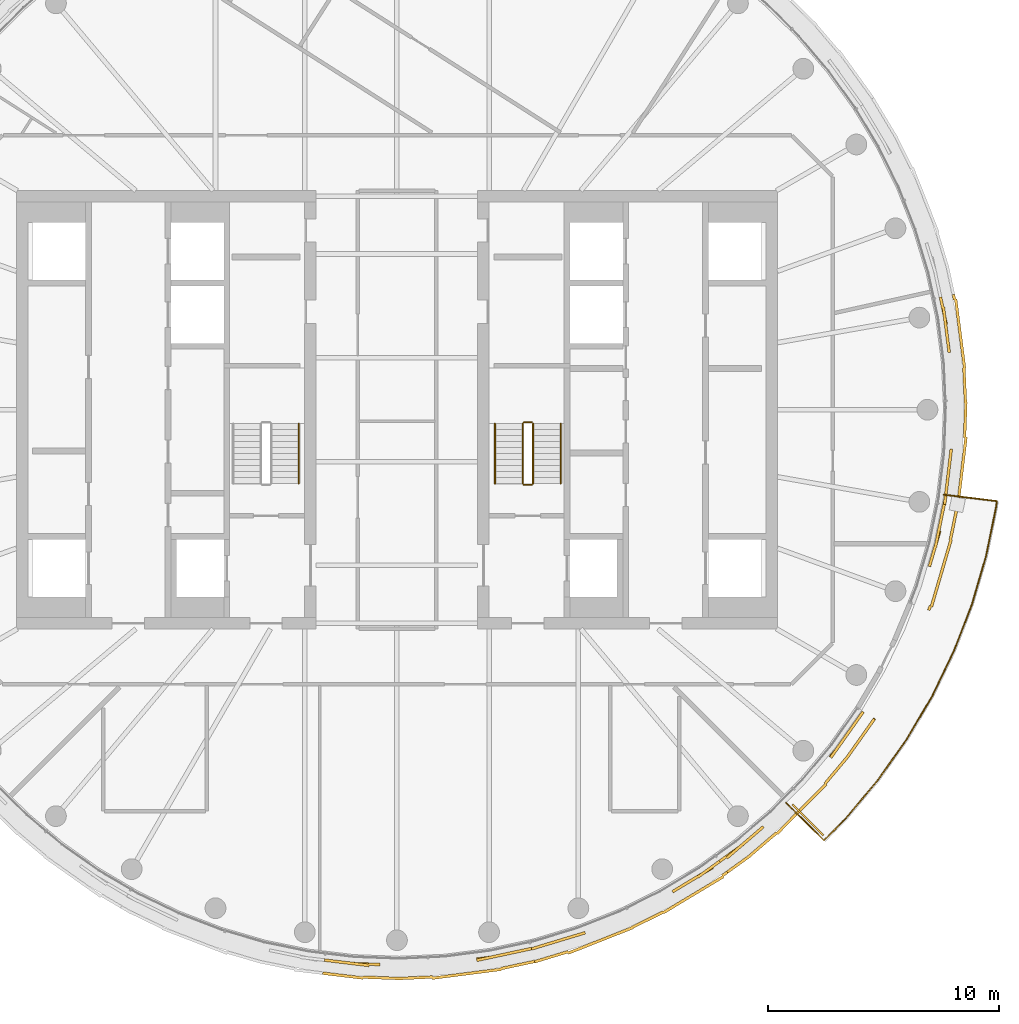
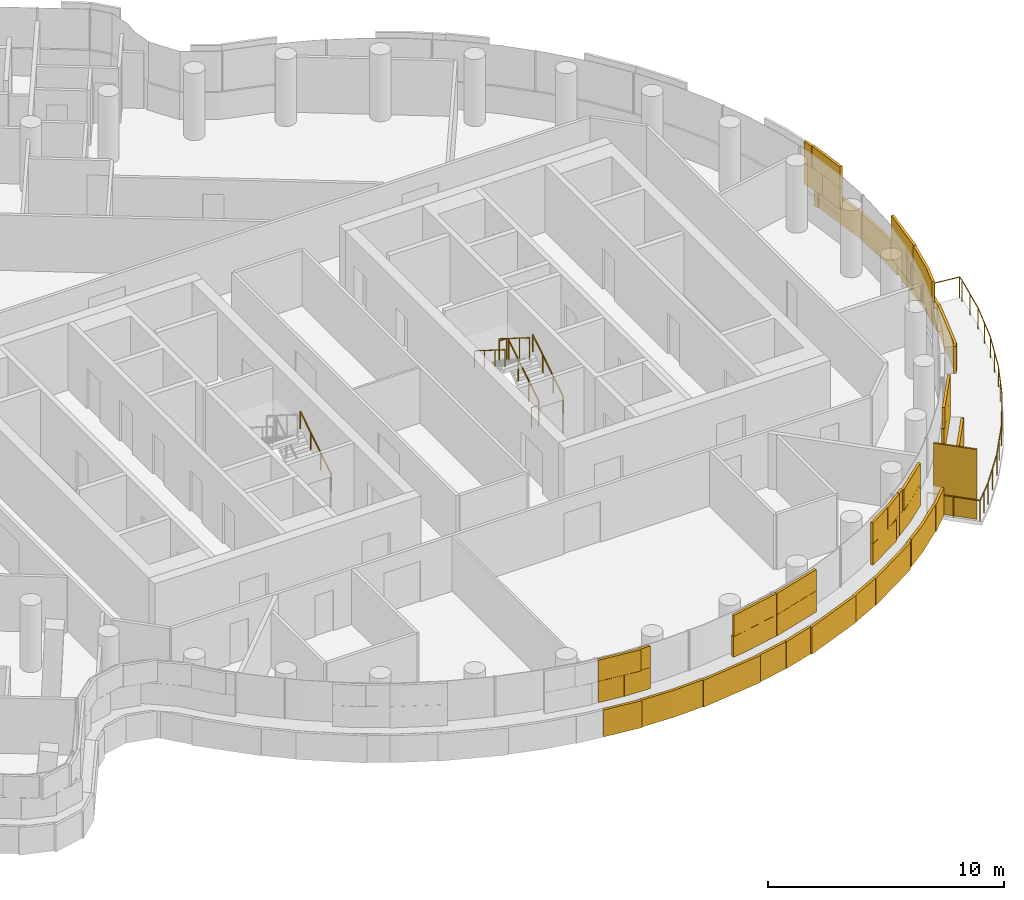
# One storey, part 24 of 27: 8 railings, 5 coverings, 1 shading device.
"""IFC4 building model written with IfcOpenShell, lengths in metres."""

from ifc_helpers import new_model, si_unit, direction, frame, origin, origin_2d, place, context, subcontext, project, spatial, rectangle, circle, extrude, material, layer, layer_set, type_object, element, save


model = new_model("IFC4")

# Units and contexts
model_context = context("Model", 3, precision=1e-05, world=origin(), true_north=direction((0.0, 1.0)))
body_context = subcontext(model_context, "Body", "Model", "MODEL_VIEW")
ifc_project = project(units=[si_unit("LENGTHUNIT", "METRE"), si_unit("AREAUNIT", "SQUARE_METRE"), si_unit("VOLUMEUNIT", "CUBIC_METRE"), si_unit("PLANEANGLEUNIT", "RADIAN"), si_unit("MASSUNIT", "GRAM", prefix="KILO")], contexts=[model_context])

# Site, building, storey
site_placement = place(None, origin())
site = spatial("IfcSite", under=ifc_project, at=site_placement, CompositionType="ELEMENT")
building_placement = place(site_placement, origin())
building = spatial("IfcBuilding", under=site, at=building_placement, Name="Tamarind Cross Interchange Tower", CompositionType="ELEMENT")
storey_placement = place(building_placement, frame((0.0, 0.0, 241.5)))
storey = spatial("IfcBuildingStorey", under=building, at=storey_placement, Name="L61", CompositionType="ELEMENT", Elevation=241.5)

# Railing
ifc_material_1 = material(Name="Stainless steel and laminated glass", Category="steel")
railing_type_1 = type_object("IfcRailingType", Name="Balcony guard", PredefinedType="BALUSTRADE", material=ifc_material_1)
railing_1_placement = place(storey_placement, frame((16.869140625, -17.038330078125, 0.0)))
element("IfcRailing", 1, at=railing_1_placement, inside=storey, type_object=railing_type_1, Name="Balcony guard 02", PredefinedType="BALUSTRADE", context=body_context, shape_type="SweptSolid", body=[
    extrude(circle(Radius=0.02490234375, at=origin_2d()), frame((0.0, 0.0, 1.0751953125), z_axis=(0.710152123187, -0.704048266764, 0.0), x_axis=(0.704048266764, 0.710152123187, 0.0)), (0.0, 0.0, 1.0), 2.31982421875),
    extrude(circle(Radius=0.02490234375, at=origin_2d()), frame((1.6474609375, -1.63330078125, 1.0751953125), z_axis=(0.704119308895, 0.710081684626, 0.0), x_axis=(-0.710081684626, 0.704119308895, 0.0)), (0.0, 0.0, 1.0), 1.310302734375),
    extrude(circle(Radius=0.02490234375, at=origin_2d()), frame((2.570068359375, -0.702880859375, 1.0751953125), z_axis=(0.642984125922, 0.765879503455, 0.0), x_axis=(-0.765879503455, 0.642984125922, 0.0)), (0.0, 0.0, 1.0), 2.17529296875),
    extrude(circle(Radius=0.02490234375, at=origin_2d()), frame((3.96875, 0.963134765625, 1.0751953125), z_axis=(0.577590617379, 0.81632657602, 0.0), x_axis=(-0.81632657602, 0.577590617379, 0.0)), (0.0, 0.0, 1.0), 2.175048828125),
    extrude(circle(Radius=0.02490234375, at=origin_2d()), frame((5.22509765625, 2.73876953125, 1.0751953125), z_axis=(0.508226290333, 0.861223570169, 0.0), x_axis=(-0.861223570169, 0.508226290333, 0.0)), (0.0, 0.0, 1.0), 2.175048828125),
    extrude(circle(Radius=0.02490234375, at=origin_2d()), frame((6.33056640625, 4.612060546875, 1.0751953125), z_axis=(0.435276325285, 0.90029690694, 0.0), x_axis=(-0.90029690694, 0.435276325285, 0.0)), (0.0, 0.0, 1.0), 2.175048828125),
    extrude(circle(Radius=0.02490234375, at=origin_2d()), frame((7.27734375, 6.5703125, 1.0751953125), z_axis=(0.359497979449, 0.93314586361, 0.0), x_axis=(-0.93314586361, 0.359497979449, 0.0)), (0.0, 0.0, 1.0), 2.17529296875),
    extrude(circle(Radius=0.02490234375, at=origin_2d()), frame((8.059326171875, 8.60009765625, 1.0751953125), z_axis=(0.281266871208, 0.959629588519, 0.0), x_axis=(-0.959629588519, 0.281266871208, 0.0)), (0.0, 0.0, 1.0), 2.17529296875),
    extrude(circle(Radius=0.02490234375, at=origin_2d()), frame((8.671142578125, 10.6875, 1.0751953125), z_axis=(0.200905479979, 0.97961063087, 0.0), x_axis=(-0.97961063087, 0.200905479979, 0.0)), (0.0, 0.0, 1.0), 2.17529296875),
    extrude(circle(Radius=0.02490234375, at=origin_2d()), frame((9.108154296875, 12.818359375, 1.0751953125), z_axis=(0.120107182493, 0.992760930292, 0.0), x_axis=(-0.992760930292, 0.120107182493, 0.0)), (0.0, 0.0, 1.0), 0.26025390625),
    extrude(circle(Radius=0.02490234375, at=origin_2d()), frame((9.139404296875, 13.07666015625, 1.0751953125), z_axis=(-0.992841940747, 0.119435675967, 0.0), x_axis=(-0.119435675967, -0.992841940747, 0.0)), (0.0, 0.0, 1.0), 2.320068359375),
    extrude(circle(Radius=0.02001953125, at=origin_2d()), origin(), (0.0, 0.0, 1.0), 1.050048828125),
    extrude(circle(Radius=0.02001953125, at=origin_2d()), frame((0.82373046875, -0.816650390625, 0.0)), (0.0, 0.0, 1.0), 1.050048828125),
    extrude(circle(Radius=0.02001953125, at=origin_2d()), frame((1.6474609375, -1.63330078125, 0.0)), (0.0, 0.0, 1.0), 1.050048828125),
    extrude(circle(Radius=0.02001953125, at=origin_2d()), frame((2.10888671875, -1.16796875, 0.0)), (0.0, 0.0, 1.0), 1.050048828125),
    extrude(circle(Radius=0.02001953125, at=origin_2d()), frame((2.570068359375, -0.702880859375, 0.0)), (0.0, 0.0, 1.0), 1.050048828125),
    extrude(circle(Radius=0.02001953125, at=origin_2d()), frame((3.26953125, 0.130126953125, 0.0)), (0.0, 0.0, 1.0), 1.050048828125),
    extrude(circle(Radius=0.02001953125, at=origin_2d()), frame((3.96875, 0.963134765625, 0.0)), (0.0, 0.0, 1.0), 1.050048828125),
    extrude(circle(Radius=0.02001953125, at=origin_2d()), frame((4.596923828125, 1.85107421875, 0.0)), (0.0, 0.0, 1.0), 1.050048828125),
    extrude(circle(Radius=0.02001953125, at=origin_2d()), frame((5.22509765625, 2.73876953125, 0.0)), (0.0, 0.0, 1.0), 1.050048828125),
    extrude(circle(Radius=0.02001953125, at=origin_2d()), frame((5.77783203125, 3.67529296875, 0.0)), (0.0, 0.0, 1.0), 1.050048828125),
    extrude(circle(Radius=0.02001953125, at=origin_2d()), frame((6.33056640625, 4.612060546875, 0.0)), (0.0, 0.0, 1.0), 1.050048828125),
    extrude(circle(Radius=0.02001953125, at=origin_2d()), frame((6.803955078125, 5.59130859375, 0.0)), (0.0, 0.0, 1.0), 1.050048828125),
    extrude(circle(Radius=0.02001953125, at=origin_2d()), frame((7.27734375, 6.5703125, 0.0)), (0.0, 0.0, 1.0), 1.050048828125),
    extrude(circle(Radius=0.02001953125, at=origin_2d()), frame((7.66845703125, 7.585205078125, 0.0)), (0.0, 0.0, 1.0), 1.050048828125),
    extrude(circle(Radius=0.02001953125, at=origin_2d()), frame((8.059326171875, 8.60009765625, 0.0)), (0.0, 0.0, 1.0), 1.050048828125),
    extrude(circle(Radius=0.02001953125, at=origin_2d()), frame((8.365234375, 9.643798828125, 0.0)), (0.0, 0.0, 1.0), 1.050048828125),
    extrude(circle(Radius=0.02001953125, at=origin_2d()), frame((8.671142578125, 10.6875, 0.0)), (0.0, 0.0, 1.0), 1.050048828125),
    extrude(circle(Radius=0.02001953125, at=origin_2d()), frame((8.8896484375, 11.7529296875, 0.0)), (0.0, 0.0, 1.0), 1.050048828125),
    extrude(circle(Radius=0.02001953125, at=origin_2d()), frame((9.108154296875, 12.818359375, 0.0)), (0.0, 0.0, 1.0), 1.050048828125),
    extrude(circle(Radius=0.02001953125, at=origin_2d()), frame((9.139404296875, 13.07666015625, 0.0)), (0.0, 0.0, 1.0), 1.050048828125),
    extrude(circle(Radius=0.02001953125, at=origin_2d()), frame((7.98779296875, 13.21533203125, 0.0)), (0.0, 0.0, 1.0), 1.050048828125),
    extrude(circle(Radius=0.02001953125, at=origin_2d()), frame((6.8359375, 13.353759765625, 0.0)), (0.0, 0.0, 1.0), 1.050048828125),
])

# Shading device
ifc_material_2 = material(Name="Bronze-finish aluminium louvre", Category="aluminium")
ifc_layer_1 = layer(ifc_material_2, 0.080078125)
ifc_layer_set_1 = layer_set([ifc_layer_1], Name="Bronze-finish aluminium louvre")
shading_device_type = type_object("IfcShadingDeviceType", Name="Operable louvre bay", PredefinedType="JALOUSIE", material=ifc_layer_set_1)
shading_device_placement = place(storey_placement, origin())
element("IfcShadingDevice", 2, at=shading_device_placement, inside=storey, type_object=shading_device_type, Name="LVR-L61-BAL02", PredefinedType="JALOUSIE", context=body_context, shape_type="SweptSolid", body=[
    extrude(rectangle(XDim=1.89990234375, YDim=0.080078125, at=origin_2d()), frame((17.81982421875, -17.78369140625, 0.0), z_axis=(0.0, 0.0, 1.0), x_axis=(0.710143317658, -0.704057148523, 0.0)), (0.0, 0.0, 1.0), 3.60009765625),
])

# Railings
ifc_material_3 = material(Name="Stair guard")
railing_type_2 = type_object("IfcRailingType", Name="Stair guard", PredefinedType="GUARDRAIL", material=ifc_material_3)
railing_2_placement = place(storey_placement, frame((5.89990234375, -3.199951171875, 0.16357421875)))
element("IfcRailing", 3, at=railing_2_placement, inside=storey, type_object=railing_type_2, Name="L61 ST2 stair guard 1", PredefinedType="GUARDRAIL", context=body_context, shape_type="SweptSolid", body=[
    extrude(circle(Radius=0.02392578125, at=origin_2d()), frame((0.0, 0.0, 1.076171875), z_axis=(0.0, 0.846301844409, 0.532703658848), x_axis=(-1.0, 0.0, 0.0)), (0.0, 0.0, 1.0), 3.072021484375),
    extrude(circle(Radius=0.02099609375, at=origin_2d()), origin(), (0.0, 0.0, 1.0), 1.052001953125),
    extrude(circle(Radius=0.02099609375, at=origin_2d()), frame((0.0, 0.86669921875, 0.54541015625)), (0.0, 0.0, 1.0), 1.052001953125),
    extrude(circle(Radius=0.02099609375, at=origin_2d()), frame((0.0, 1.733154296875, 1.091064453125)), (0.0, 0.0, 1.0), 1.052001953125),
    extrude(circle(Radius=0.02099609375, at=origin_2d()), frame((0.0, 2.599853515625, 1.636474609375)), (0.0, 0.0, 1.0), 1.052001953125),
])
railing_3_placement = place(storey_placement, frame((5.85009765625, -0.550048828125, 1.800048828125)))
element("IfcRailing", 4, at=railing_3_placement, inside=storey, type_object=railing_type_2, Name="L61 ST2 stair guard 2", PredefinedType="GUARDRAIL", context=body_context, shape_type="SweptSolid", body=[
    extrude(circle(Radius=0.02392578125, at=origin_2d()), frame((0.0, 0.0, 1.076171875), z_axis=(-1.0, 0.0, 0.0), x_axis=(0.0, -1.0, 0.0)), (0.0, 0.0, 1.0), 0.35009765625),
    extrude(circle(Radius=0.02099609375, at=origin_2d()), origin(), (0.0, 0.0, 1.0), 1.052001953125),
    extrude(circle(Radius=0.02099609375, at=origin_2d()), frame((-0.35009765625, 0.0, 0.0)), (0.0, 0.0, 1.0), 1.052001953125),
])
railing_4_placement = place(storey_placement, frame((5.449951171875, -0.60009765625, 1.963623046875)))
element("IfcRailing", 5, at=railing_4_placement, inside=storey, type_object=railing_type_2, Name="L61 ST2 stair guard 3", PredefinedType="GUARDRAIL", context=body_context, shape_type="SweptSolid", body=[
    extrude(circle(Radius=0.02392578125, at=origin_2d()), frame((0.0, 0.0, 1.076171875), z_axis=(0.0, -0.846301844409, 0.532703658848), x_axis=(1.0, 0.0, 0.0)), (0.0, 0.0, 1.0), 3.072021484375),
    extrude(circle(Radius=0.02099609375, at=origin_2d()), origin(), (0.0, 0.0, 1.0), 1.052001953125),
    extrude(circle(Radius=0.02099609375, at=origin_2d()), frame((0.0, -0.86669921875, 0.54541015625)), (0.0, 0.0, 1.0), 1.052001953125),
    extrude(circle(Radius=0.02099609375, at=origin_2d()), frame((0.0, -1.733154296875, 1.091064453125)), (0.0, 0.0, 1.0), 1.052001953125),
    extrude(circle(Radius=0.02099609375, at=origin_2d()), frame((0.0, -2.599853515625, 1.636474609375)), (0.0, 0.0, 1.0), 1.052001953125),
])
railing_5_placement = place(storey_placement, frame((5.85009765625, -3.25, 0.0)))
element("IfcRailing", 6, at=railing_5_placement, inside=storey, type_object=railing_type_2, Name="L61 ST2 stair guard 4", PredefinedType="GUARDRAIL", context=body_context, shape_type="SweptSolid", body=[
    extrude(circle(Radius=0.02392578125, at=origin_2d()), frame((0.0, 0.0, 1.076171875), z_axis=(-1.0, 0.0, 0.0), x_axis=(0.0, -1.0, 0.0)), (0.0, 0.0, 1.0), 0.35009765625),
    extrude(circle(Radius=0.02099609375, at=origin_2d()), origin(), (0.0, 0.0, 1.0), 1.052001953125),
    extrude(circle(Radius=0.02099609375, at=origin_2d()), frame((-0.35009765625, 0.0, 0.0)), (0.0, 0.0, 1.0), 1.052001953125),
])
ifc_material_4 = material(Name="Stair handrail")
railing_type_3 = type_object("IfcRailingType", Name="Stair handrail", PredefinedType="HANDRAIL", material=ifc_material_4)
for number, where, name in (
    (7, (-4.25, -3.199951171875, 0.16357421875), "L61 ST1 stair handrail 1"),
    (8, (7.10009765625, -3.199951171875, 0.16357421875), "L61 ST2 stair handrail 1"),
):
    element("IfcRailing", number, at=place(storey_placement, frame(where)), inside=storey, type_object=railing_type_3, Name=name, PredefinedType="HANDRAIL", context=body_context, shape_type="SweptSolid", body=[
        extrude(circle(Radius=0.02392578125, at=origin_2d()), frame((0.0, 0.0, 0.8759765625), z_axis=(0.0, 0.846301844409, 0.532703658848), x_axis=(-1.0, 0.0, 0.0)), (0.0, 0.0, 1.0), 3.072021484375),
        extrude(circle(Radius=0.02099609375, at=origin_2d()), origin(), (0.0, 0.0, 1.0), 0.851806640625),
        extrude(circle(Radius=0.02099609375, at=origin_2d()), frame((0.0, 0.86669921875, 0.54541015625)), (0.0, 0.0, 1.0), 0.851806640625),
        extrude(circle(Radius=0.02099609375, at=origin_2d()), frame((0.0, 1.733154296875, 1.091064453125)), (0.0, 0.0, 1.0), 0.851806640625),
        extrude(circle(Radius=0.02099609375, at=origin_2d()), frame((0.0, 2.599853515625, 1.636474609375)), (0.0, 0.0, 1.0), 0.851806640625),
    ])
railing_6_placement = place(storey_placement, frame((4.25, -0.60009765625, 1.963623046875)))
element("IfcRailing", 9, at=railing_6_placement, inside=storey, type_object=railing_type_3, Name="L61 ST2 stair handrail 2", PredefinedType="HANDRAIL", context=body_context, shape_type="SweptSolid", body=[
    extrude(circle(Radius=0.02392578125, at=origin_2d()), frame((0.0, 0.0, 0.8759765625), z_axis=(0.0, -0.846301844409, 0.532703658848), x_axis=(1.0, 0.0, 0.0)), (0.0, 0.0, 1.0), 3.072021484375),
    extrude(circle(Radius=0.02099609375, at=origin_2d()), origin(), (0.0, 0.0, 1.0), 0.851806640625),
    extrude(circle(Radius=0.02099609375, at=origin_2d()), frame((0.0, -0.86669921875, 0.54541015625)), (0.0, 0.0, 1.0), 0.851806640625),
    extrude(circle(Radius=0.02099609375, at=origin_2d()), frame((0.0, -1.733154296875, 1.091064453125)), (0.0, 0.0, 1.0), 0.851806640625),
    extrude(circle(Radius=0.02099609375, at=origin_2d()), frame((0.0, -2.599853515625, 1.636474609375)), (0.0, 0.0, 1.0), 0.851806640625),
])

# Coverings
ifc_material_5 = material(Name="Terracotta", Category="masonry")
ifc_layer_2 = layer(ifc_material_5, 0.1201171875)
ifc_layer_set_2 = layer_set([ifc_layer_2], Name="Terracotta")
covering_type = type_object("IfcCoveringType", Name="Terracotta baguette screen unit", PredefinedType="MOLDING", material=ifc_layer_set_2)
covering_1_placement = place(storey_placement, origin())
element("IfcCovering", 10, at=covering_1_placement, inside=storey, type_object=covering_type, Name="SCR-L61-02-02", PredefinedType="MOLDING", context=body_context, shape_type="SweptSolid", body=[
    extrude(rectangle(XDim=1.193359375, YDim=0.1201171875, at=origin_2d()), frame((-2.554931640625, -23.931640625, 1.40380859375), z_axis=(0.0, 0.0, 1.0), x_axis=(0.992843710523, -0.119420963295, 0.0)), (0.0, 0.0, 1.0), 1.092041015625),
    extrude(rectangle(XDim=1.248291015625, YDim=0.1201171875, at=origin_2d()), frame((-1.349365234375, -24.031982421875, 1.40380859375), z_axis=(0.0, 0.0, 1.0), x_axis=(0.999314350871, -0.037024696392, 0.0)), (0.0, 0.0, 1.0), 1.092041015625),
    extrude(rectangle(XDim=0.57177734375, YDim=0.1201171875, at=origin_2d()), frame((3.734130859375, -23.783203125, 1.40380859375), z_axis=(0.0, 0.0, 1.0), x_axis=(0.991779070368, 0.127962008342, 0.0)), (0.0, 0.0, 1.0), 1.092041015625),
    extrude(rectangle(XDim=1.52001953125, YDim=0.1201171875, at=origin_2d()), frame((4.746826171875, -23.594482421875, 1.40380859375), z_axis=(0.0, 0.0, 1.0), x_axis=(0.977824623121, 0.209425419705, 0.0)), (0.0, 0.0, 1.0), 1.092041015625),
    extrude(rectangle(XDim=0.369873046875, YDim=0.1201171875, at=origin_2d()), frame((5.656005859375, -23.39990234375, 1.40380859375), z_axis=(0.0, 0.0, 1.0), x_axis=(0.977824623121, 0.209425419705, 0.0)), (0.0, 0.0, 1.0), 1.092041015625),
    extrude(rectangle(XDim=0.443359375, YDim=0.1201171875, at=origin_2d()), frame((-2.92724609375, -23.88671875, 2.50390625), z_axis=(0.0, 0.0, 1.0), x_axis=(0.992843710523, -0.119420963295, 0.0)), (0.0, 0.0, 1.0), 1.092041015625),
    extrude(rectangle(XDim=1.52001953125, YDim=0.1201171875, at=origin_2d()), frame((-1.967529296875, -24.002197265625, 2.50390625), z_axis=(0.0, 0.0, 1.0), x_axis=(0.992843710523, -0.119420963295, 0.0)), (0.0, 0.0, 1.0), 1.092041015625),
    extrude(rectangle(XDim=0.498291015625, YDim=0.1201171875, at=origin_2d()), frame((-0.974609375, -24.0458984375, 2.50390625), z_axis=(0.0, 0.0, 1.0), x_axis=(0.999314350871, -0.037024696392, 0.0)), (0.0, 0.0, 1.0), 1.092041015625),
    extrude(rectangle(XDim=1.32177734375, YDim=0.1201171875, at=origin_2d()), frame((4.10546875, -23.73193359375, 2.50390625), z_axis=(0.0, 0.0, 1.0), x_axis=(0.977824623121, 0.209425419705, 0.0)), (0.0, 0.0, 1.0), 1.092041015625),
    extrude(rectangle(XDim=1.119873046875, YDim=0.1201171875, at=origin_2d()), frame((5.289306640625, -23.478271484375, 2.50390625), z_axis=(0.0, 0.0, 1.0), x_axis=(0.977824623121, 0.209425419705, 0.0)), (0.0, 0.0, 1.0), 1.092041015625),
    extrude(rectangle(XDim=0.26904296875, YDim=0.1201171875, at=origin_2d()), frame((-3.083740234375, -24.446044921875, 0.00390625), z_axis=(0.0, 0.0, 1.0), x_axis=(0.992843710523, -0.119420963295, 0.0)), (0.0, 0.0, 1.0), 1.39208984375),
    extrude(rectangle(XDim=1.52001953125, YDim=0.1201171875, at=origin_2d()), frame((-2.215576171875, -24.550537109375, 0.00390625), z_axis=(0.0, 0.0, 1.0), x_axis=(0.992843710523, -0.119420963295, 0.0)), (0.0, 0.0, 1.0), 1.39208984375),
    extrude(rectangle(XDim=1.52001953125, YDim=0.1201171875, at=origin_2d()), frame((-0.71826171875, -24.629638671875, 0.00390625), z_axis=(0.0, 0.0, 1.0), x_axis=(0.999314350871, -0.037024696392, 0.0)), (0.0, 0.0, 1.0), 1.39208984375),
    extrude(rectangle(XDim=1.52001953125, YDim=0.1201171875, at=origin_2d()), frame((0.7802734375, -24.62939453125, 0.00390625), z_axis=(0.0, 0.0, 1.0), x_axis=(0.998958660912, 0.045624486728, 0.0)), (0.0, 0.0, 1.0), 1.39208984375),
    extrude(rectangle(XDim=1.52001953125, YDim=0.1201171875, at=origin_2d()), frame((2.27783203125, -24.5498046875, 0.00390625), z_axis=(0.0, 0.0, 1.0), x_axis=(0.991779070368, 0.127962008342, 0.0)), (0.0, 0.0, 1.0), 1.39208984375),
    extrude(rectangle(XDim=1.52001953125, YDim=0.1201171875, at=origin_2d()), frame((3.765380859375, -24.35791015625, 0.00390625), z_axis=(0.0, 0.0, 1.0), x_axis=(0.991779070368, 0.127962008342, 0.0)), (0.0, 0.0, 1.0), 1.39208984375),
    extrude(rectangle(XDim=1.510009765625, YDim=0.1201171875, at=origin_2d()), frame((5.23291015625, -24.077392578125, 0.00390625), z_axis=(0.0, 0.0, 1.0), x_axis=(0.977824623121, 0.209425419705, 0.0)), (0.0, 0.0, 1.0), 1.39208984375),
])
covering_2_placement = place(storey_placement, origin())
element("IfcCovering", 11, at=covering_2_placement, inside=storey, type_object=covering_type, Name="SCR-L61-02-03", PredefinedType="MOLDING", context=body_context, shape_type="SweptSolid", body=[
    extrude(rectangle(XDim=1.150146484375, YDim=0.1201171875, at=origin_2d()), frame((6.381591796875, -23.2119140625, 1.40380859375), z_axis=(0.0, 0.0, 1.0), x_axis=(0.957190642199, 0.289458243079, 0.0)), (0.0, 0.0, 1.0), 1.092041015625),
    extrude(rectangle(XDim=1.291259765625, YDim=0.1201171875, at=origin_2d()), frame((7.540283203125, -22.861572265625, 1.40380859375), z_axis=(0.0, 0.0, 1.0), x_axis=(0.957190642199, 0.289458243079, 0.0)), (0.0, 0.0, 1.0), 1.092041015625),
    extrude(rectangle(XDim=0.528564453125, YDim=0.1201171875, at=origin_2d()), frame((12.174560546875, -20.760498046875, 1.40380859375), z_axis=(0.0, 0.0, 1.0), x_axis=(0.856843065292, 0.515577308909, 0.0)), (0.0, 0.0, 1.0), 1.092041015625),
    extrude(rectangle(XDim=1.52001953125, YDim=0.1201171875, at=origin_2d()), frame((13.039306640625, -20.240234375, 1.40380859375), z_axis=(0.0, 0.0, 1.0), x_axis=(0.856843065292, 0.515577308909, 0.0)), (0.0, 0.0, 1.0), 1.092041015625),
    extrude(rectangle(XDim=0.412841796875, YDim=0.1201171875, at=origin_2d()), frame((13.822998046875, -19.701904296875, 1.40380859375), z_axis=(0.0, 0.0, 1.0), x_axis=(0.811340475102, 0.584573890505, 0.0)), (0.0, 0.0, 1.0), 1.092041015625),
    extrude(rectangle(XDim=0.400146484375, YDim=0.1201171875, at=origin_2d()), frame((6.0224609375, -23.320556640625, 2.50390625), z_axis=(0.0, 0.0, 1.0), x_axis=(0.957190642199, 0.289458243079, 0.0)), (0.0, 0.0, 1.0), 1.092041015625),
    extrude(rectangle(XDim=1.52001953125, YDim=0.1201171875, at=origin_2d()), frame((6.92724609375, -23.046875, 2.50390625), z_axis=(0.0, 0.0, 1.0), x_axis=(0.957190642199, 0.289458243079, 0.0)), (0.0, 0.0, 1.0), 1.092041015625),
    extrude(rectangle(XDim=0.541259765625, YDim=0.1201171875, at=origin_2d()), frame((7.8994140625, -22.7529296875, 2.50390625), z_axis=(0.0, 0.0, 1.0), x_axis=(0.957190642199, 0.289458243079, 0.0)), (0.0, 0.0, 1.0), 1.092041015625),
    extrude(rectangle(XDim=1.278564453125, YDim=0.1201171875, at=origin_2d()), frame((12.495849609375, -20.567138671875, 2.50390625), z_axis=(0.0, 0.0, 1.0), x_axis=(0.856843065292, 0.515577308909, 0.0)), (0.0, 0.0, 1.0), 1.092041015625),
    extrude(rectangle(XDim=1.162841796875, YDim=0.1201171875, at=origin_2d()), frame((13.518798828125, -19.921142578125, 2.50390625), z_axis=(0.0, 0.0, 1.0), x_axis=(0.811340475102, 0.584573890505, 0.0)), (0.0, 0.0, 1.0), 1.092041015625),
    extrude(rectangle(XDim=1.52001953125, YDim=0.1201171875, at=origin_2d()), frame((6.693115234375, -23.717529296875, 0.00390625), z_axis=(0.0, 0.0, 1.0), x_axis=(0.957190642199, 0.289458243079, 0.0)), (0.0, 0.0, 1.0), 1.39208984375),
    extrude(rectangle(XDim=1.52001953125, YDim=0.1201171875, at=origin_2d()), frame((8.128173828125, -23.281494140625, 0.00390625), z_axis=(0.0, 0.0, 1.0), x_axis=(0.930018078613, 0.367513773146, 0.0)), (0.0, 0.0, 1.0), 1.39208984375),
    extrude(rectangle(XDim=1.52001953125, YDim=0.1201171875, at=origin_2d()), frame((9.523193359375, -22.730224609375, 0.00390625), z_axis=(0.0, 0.0, 1.0), x_axis=(0.930018078613, 0.367513773146, 0.0)), (0.0, 0.0, 1.0), 1.39208984375),
    extrude(rectangle(XDim=1.52001953125, YDim=0.1201171875, at=origin_2d()), frame((10.88525390625, -22.104736328125, 0.00390625), z_axis=(0.0, 0.0, 1.0), x_axis=(0.896492548518, 0.443058811505, 0.0)), (0.0, 0.0, 1.0), 1.39208984375),
    extrude(rectangle(XDim=1.52001953125, YDim=0.1201171875, at=origin_2d()), frame((12.21240234375, -21.40771484375, 0.00390625), z_axis=(0.0, 0.0, 1.0), x_axis=(0.856843065292, 0.515577308909, 0.0)), (0.0, 0.0, 1.0), 1.39208984375),
    extrude(rectangle(XDim=1.52001953125, YDim=0.1201171875, at=origin_2d()), frame((13.49755859375, -20.63427734375, 0.00390625), z_axis=(0.0, 0.0, 1.0), x_axis=(0.856843065292, 0.515577308909, 0.0)), (0.0, 0.0, 1.0), 1.39208984375),
    extrude(rectangle(XDim=0.2685546875, YDim=0.1201171875, at=origin_2d()), frame((14.211181640625, -20.129638671875, 0.00390625), z_axis=(0.0, 0.0, 1.0), x_axis=(0.811340475102, 0.584573890505, 0.0)), (0.0, 0.0, 1.0), 1.39208984375),
])
covering_3_placement = place(storey_placement, origin())
element("IfcCovering", 12, at=covering_3_placement, inside=storey, type_object=covering_type, Name="SCR-L61-02-04", PredefinedType="MOLDING", context=body_context, shape_type="SweptSolid", body=[
    extrude(rectangle(XDim=1.107177734375, YDim=0.1201171875, at=origin_2d()), frame((14.431640625, -19.263427734375, 1.40380859375), z_axis=(0.0, 0.0, 1.0), x_axis=(0.811340475102, 0.584573890505, 0.0)), (0.0, 0.0, 1.0), 1.092041015625),
    extrude(rectangle(XDim=1.334228515625, YDim=0.1201171875, at=origin_2d()), frame((15.380126953125, -18.512451171875, 1.40380859375), z_axis=(0.0, 0.0, 1.0), x_axis=(0.760295606781, 0.64957723968, 0.0)), (0.0, 0.0, 1.0), 1.092041015625),
    extrude(rectangle(XDim=0.485595703125, YDim=0.1201171875, at=origin_2d()), frame((18.9365234375, -14.871826171875, 1.40380859375), z_axis=(0.0, 0.0, 1.0), x_axis=(0.643009266048, 0.765858396687, 0.0)), (0.0, 0.0, 1.0), 1.092041015625),
    extrude(rectangle(XDim=1.52001953125, YDim=0.1201171875, at=origin_2d()), frame((19.520751953125, -14.075927734375, 1.40380859375), z_axis=(0.0, 0.0, 1.0), x_axis=(0.577568978284, 0.816341886298, 0.0)), (0.0, 0.0, 1.0), 1.092041015625),
    extrude(rectangle(XDim=0.455810546875, YDim=0.1201171875, at=origin_2d()), frame((20.082763671875, -13.28173828125, 1.40380859375), z_axis=(0.0, 0.0, 1.0), x_axis=(0.577568978284, 0.816341886298, 0.0)), (0.0, 0.0, 1.0), 1.092041015625),
    extrude(rectangle(XDim=0.357177734375, YDim=0.1201171875, at=origin_2d()), frame((14.127197265625, -19.482666015625, 2.50390625), z_axis=(0.0, 0.0, 1.0), x_axis=(0.811340475102, 0.584573890505, 0.0)), (0.0, 0.0, 1.0), 1.092041015625),
    extrude(rectangle(XDim=1.52001953125, YDim=0.1201171875, at=origin_2d()), frame((14.87646484375, -18.942626953125, 2.50390625), z_axis=(0.0, 0.0, 1.0), x_axis=(0.760295606781, 0.64957723968, 0.0)), (0.0, 0.0, 1.0), 1.092041015625),
    extrude(rectangle(XDim=0.584228515625, YDim=0.1201171875, at=origin_2d()), frame((15.6650390625, -18.268798828125, 2.50390625), z_axis=(0.0, 0.0, 1.0), x_axis=(0.760295606781, 0.64957723968, 0.0)), (0.0, 0.0, 1.0), 1.092041015625),
    extrude(rectangle(XDim=1.235595703125, YDim=0.1201171875, at=origin_2d()), frame((19.166748046875, -14.576171875, 2.50390625), z_axis=(0.0, 0.0, 1.0), x_axis=(0.577568978284, 0.816341886298, 0.0)), (0.0, 0.0, 1.0), 1.092041015625),
    extrude(rectangle(XDim=1.205810546875, YDim=0.1201171875, at=origin_2d()), frame((19.8662109375, -13.587890625, 2.50390625), z_axis=(0.0, 0.0, 1.0), x_axis=(0.577568978284, 0.816341886298, 0.0)), (0.0, 0.0, 1.0), 1.092041015625),
    extrude(rectangle(XDim=1.25146484375, YDim=0.1201171875, at=origin_2d()), frame((14.82763671875, -19.685302734375, 0.00390625), z_axis=(0.0, 0.0, 1.0), x_axis=(0.811340475102, 0.584573890505, 0.0)), (0.0, 0.0, 1.0), 1.39208984375),
    extrude(rectangle(XDim=1.52001953125, YDim=0.1201171875, at=origin_2d()), frame((15.891357421875, -18.83056640625, 0.00390625), z_axis=(0.0, 0.0, 1.0), x_axis=(0.760295606781, 0.64957723968, 0.0)), (0.0, 0.0, 1.0), 1.39208984375),
    extrude(rectangle(XDim=1.52001953125, YDim=0.1201171875, at=origin_2d()), frame((17.01318359375, -17.836181640625, 0.00390625), z_axis=(0.0, 0.0, 1.0), x_axis=(0.704057148523, 0.710143317658, 0.0)), (0.0, 0.0, 1.0), 1.39208984375),
    extrude(rectangle(XDim=1.52001953125, YDim=0.1201171875, at=origin_2d()), frame((18.0693359375, -16.770751953125, 0.00390625), z_axis=(0.0, 0.0, 1.0), x_axis=(0.704057148523, 0.710143317658, 0.0)), (0.0, 0.0, 1.0), 1.39208984375),
    extrude(rectangle(XDim=1.52001953125, YDim=0.1201171875, at=origin_2d()), frame((19.04638671875, -15.633544921875, 0.00390625), z_axis=(0.0, 0.0, 1.0), x_axis=(0.643009266048, 0.765858396687, 0.0)), (0.0, 0.0, 1.0), 1.39208984375),
    extrude(rectangle(XDim=1.52001953125, YDim=0.1201171875, at=origin_2d()), frame((19.961669921875, -14.44677734375, 0.00390625), z_axis=(0.0, 0.0, 1.0), x_axis=(0.577568978284, 0.816341886298, 0.0)), (0.0, 0.0, 1.0), 1.39208984375),
    extrude(rectangle(XDim=0.52734375, YDim=0.1201171875, at=origin_2d()), frame((20.541259765625, -13.62744140625, 0.00390625), z_axis=(0.0, 0.0, 1.0), x_axis=(0.577568978284, 0.816341886298, 0.0)), (0.0, 0.0, 1.0), 1.39208984375),
])
covering_4_placement = place(storey_placement, origin())
element("IfcCovering", 13, at=covering_4_placement, inside=storey, type_object=covering_type, Name="SCR-L61-02-05", PredefinedType="MOLDING", context=body_context, shape_type="SweptSolid", body=[
    extrude(rectangle(XDim=1.52001953125, YDim=0.1201171875, at=origin_2d()), frame((23.3251953125, -5.9794921875, 1.40380859375), z_axis=(0.0, 0.0, 1.0), x_axis=(0.281208920763, 0.95964657186, 0.0)), (0.0, 0.0, 1.0), 1.092041015625),
    extrude(rectangle(XDim=1.173583984375, YDim=0.1201171875, at=origin_2d()), frame((23.60693359375, -4.678466796875, 1.40380859375), z_axis=(0.0, 0.0, 1.0), x_axis=(0.201001463943, 0.9795909409, 0.0)), (0.0, 0.0, 1.0), 1.092041015625),
    extrude(rectangle(XDim=0.855224609375, YDim=0.1201171875, at=origin_2d()), frame((23.206298828125, -6.38525390625, 2.50390625), z_axis=(0.0, 0.0, 1.0), x_axis=(0.281208920763, 0.95964657186, 0.0)), (0.0, 0.0, 1.0), 1.092041015625),
    extrude(rectangle(XDim=1.52001953125, YDim=0.1201171875, at=origin_2d()), frame((23.489990234375, -5.248291015625, 2.50390625), z_axis=(0.0, 0.0, 1.0), x_axis=(0.201001463943, 0.9795909409, 0.0)), (0.0, 0.0, 1.0), 1.092041015625),
    extrude(rectangle(XDim=0.423583984375, YDim=0.1201171875, at=origin_2d()), frame((23.68212890625, -4.31103515625, 2.50390625), z_axis=(0.0, 0.0, 1.0), x_axis=(0.201001463943, 0.9795909409, 0.0)), (0.0, 0.0, 1.0), 1.092041015625),
    extrude(rectangle(XDim=0.03076171875, YDim=0.1201171875, at=origin_2d()), frame((20.702392578125, -13.399658203125, 0.00390625), z_axis=(0.0, 0.0, 1.0), x_axis=(0.577568978284, 0.816341886298, 0.0)), (0.0, 0.0, 1.0), 1.39208984375),
    extrude(rectangle(XDim=0.20361328125, YDim=0.1201171875, at=origin_2d()), frame((23.0927734375, -8.59716796875, 0.00390625), z_axis=(0.0, 0.0, 1.0), x_axis=(0.359495435512, 0.933146843667, 0.0)), (0.0, 0.0, 1.0), 1.39208984375),
    extrude(rectangle(XDim=1.52001953125, YDim=0.1201171875, at=origin_2d()), frame((23.38720703125, -7.808837890625, 0.00390625), z_axis=(0.0, 0.0, 1.0), x_axis=(0.281208920763, 0.95964657186, 0.0)), (0.0, 0.0, 1.0), 1.39208984375),
    extrude(rectangle(XDim=1.52001953125, YDim=0.1201171875, at=origin_2d()), frame((23.80908203125, -6.369384765625, 0.00390625), z_axis=(0.0, 0.0, 1.0), x_axis=(0.281208920763, 0.95964657186, 0.0)), (0.0, 0.0, 1.0), 1.39208984375),
    extrude(rectangle(XDim=1.476806640625, YDim=0.1201171875, at=origin_2d()), frame((24.141357421875, -4.929931640625, 0.00390625), z_axis=(0.0, 0.0, 1.0), x_axis=(0.201001463943, 0.9795909409, 0.0)), (0.0, 0.0, 1.0), 1.39208984375),
])
covering_5_placement = place(storey_placement, origin())
element("IfcCovering", 14, at=covering_5_placement, inside=storey, type_object=covering_type, Name="SCR-L61-02-06", PredefinedType="MOLDING", context=body_context, shape_type="SweptSolid", body=[
    extrude(rectangle(XDim=0.346435546875, YDim=0.1201171875, at=origin_2d()), frame((23.757568359375, -3.94384765625, 1.40380859375), z_axis=(0.0, 0.0, 1.0), x_axis=(0.201001463943, 0.9795909409, 0.0)), (0.0, 0.0, 1.0), 1.092041015625),
    extrude(rectangle(XDim=1.52001953125, YDim=0.1201171875, at=origin_2d()), frame((23.8740234375, -3.033203125, 1.40380859375), z_axis=(0.0, 0.0, 1.0), x_axis=(0.119420963295, 0.992843710523, 0.0)), (0.0, 0.0, 1.0), 1.092041015625),
    extrude(rectangle(XDim=0.5947265625, YDim=0.1201171875, at=origin_2d()), frame((23.99853515625, -1.998291015625, 1.40380859375), z_axis=(0.0, 0.0, 1.0), x_axis=(0.119420963295, 0.992843710523, 0.0)), (0.0, 0.0, 1.0), 1.092041015625),
    extrude(rectangle(XDim=1.22509765625, YDim=0.1201171875, at=origin_2d()), frame((23.866455078125, 3.089111328125, 1.40380859375), z_axis=(0.0, 0.0, 1.0), x_axis=(-0.127962008342, 0.991779070368, 0.0)), (0.0, 0.0, 1.0), 1.092041015625),
    extrude(rectangle(XDim=1.216064453125, YDim=0.1201171875, at=origin_2d()), frame((23.693115234375, 4.286865234375, 1.40380859375), z_axis=(0.0, 0.0, 1.0), x_axis=(-0.209425419705, 0.977824623121, 0.0)), (0.0, 0.0, 1.0), 1.092041015625),
    extrude(rectangle(XDim=1.096435546875, YDim=0.1201171875, at=origin_2d()), frame((23.80908203125, -3.572509765625, 2.50390625), z_axis=(0.0, 0.0, 1.0), x_axis=(0.119420963295, 0.992843710523, 0.0)), (0.0, 0.0, 1.0), 1.092041015625),
    extrude(rectangle(XDim=1.3447265625, YDim=0.1201171875, at=origin_2d()), frame((23.953857421875, -2.37060546875, 2.50390625), z_axis=(0.0, 0.0, 1.0), x_axis=(0.119420963295, 0.992843710523, 0.0)), (0.0, 0.0, 1.0), 1.092041015625),
    extrude(rectangle(XDim=0.47509765625, YDim=0.1201171875, at=origin_2d()), frame((23.914306640625, 2.71728515625, 2.50390625), z_axis=(0.0, 0.0, 1.0), x_axis=(-0.127962008342, 0.991779070368, 0.0)), (0.0, 0.0, 1.0), 1.092041015625),
    extrude(rectangle(XDim=1.52001953125, YDim=0.1201171875, at=origin_2d()), frame((23.78857421875, 3.69189453125, 2.50390625), z_axis=(0.0, 0.0, 1.0), x_axis=(-0.127962008342, 0.991779070368, 0.0)), (0.0, 0.0, 1.0), 1.092041015625),
    extrude(rectangle(XDim=0.466064453125, YDim=0.1201171875, at=origin_2d()), frame((23.614501953125, 4.653564453125, 2.50390625), z_axis=(0.0, 0.0, 1.0), x_axis=(-0.209425419705, 0.977824623121, 0.0)), (0.0, 0.0, 1.0), 1.092041015625),
    extrude(rectangle(XDim=0.043212890625, YDim=0.1201171875, at=origin_2d()), frame((24.2939453125, -4.185302734375, 0.00390625), z_axis=(0.0, 0.0, 1.0), x_axis=(0.201001463943, 0.9795909409, 0.0)), (0.0, 0.0, 1.0), 1.39208984375),
    extrude(rectangle(XDim=1.52001953125, YDim=0.1201171875, at=origin_2d()), frame((24.404296875, -3.432373046875, 0.00390625), z_axis=(0.0, 0.0, 1.0), x_axis=(0.119420963295, 0.992843710523, 0.0)), (0.0, 0.0, 1.0), 1.39208984375),
    extrude(rectangle(XDim=1.52001953125, YDim=0.1201171875, at=origin_2d()), frame((24.583251953125, -1.943115234375, 0.00390625), z_axis=(0.0, 0.0, 1.0), x_axis=(0.119420963295, 0.992843710523, 0.0)), (0.0, 0.0, 1.0), 1.39208984375),
    extrude(rectangle(XDim=1.52001953125, YDim=0.1201171875, at=origin_2d()), frame((24.639892578125, -0.444091796875, 0.00390625), z_axis=(0.0, 0.0, 1.0), x_axis=(0.037024696392, 0.999314350871, 0.0)), (0.0, 0.0, 1.0), 1.39208984375),
    extrude(rectangle(XDim=1.52001953125, YDim=0.1201171875, at=origin_2d()), frame((24.616943359375, 1.054443359375, 0.00390625), z_axis=(0.0, 0.0, 1.0), x_axis=(-0.045624486728, 0.998958660912, 0.0)), (0.0, 0.0, 1.0), 1.39208984375),
    extrude(rectangle(XDim=1.52001953125, YDim=0.1201171875, at=origin_2d()), frame((24.5146484375, 2.550048828125, 0.00390625), z_axis=(0.0, 0.0, 1.0), x_axis=(-0.127962008342, 0.991779070368, 0.0)), (0.0, 0.0, 1.0), 1.39208984375),
    extrude(rectangle(XDim=1.52001953125, YDim=0.1201171875, at=origin_2d()), frame((24.32275390625, 4.03759765625, 0.00390625), z_axis=(0.0, 0.0, 1.0), x_axis=(-0.127962008342, 0.991779070368, 0.0)), (0.0, 0.0, 1.0), 1.39208984375),
    extrude(rectangle(XDim=0.235107421875, YDim=0.1201171875, at=origin_2d()), frame((24.153564453125, 4.8779296875, 0.00390625), z_axis=(0.0, 0.0, 1.0), x_axis=(-0.209425419705, 0.977824623121, 0.0)), (0.0, 0.0, 1.0), 1.39208984375),
])

save(model, "model.ifc")
